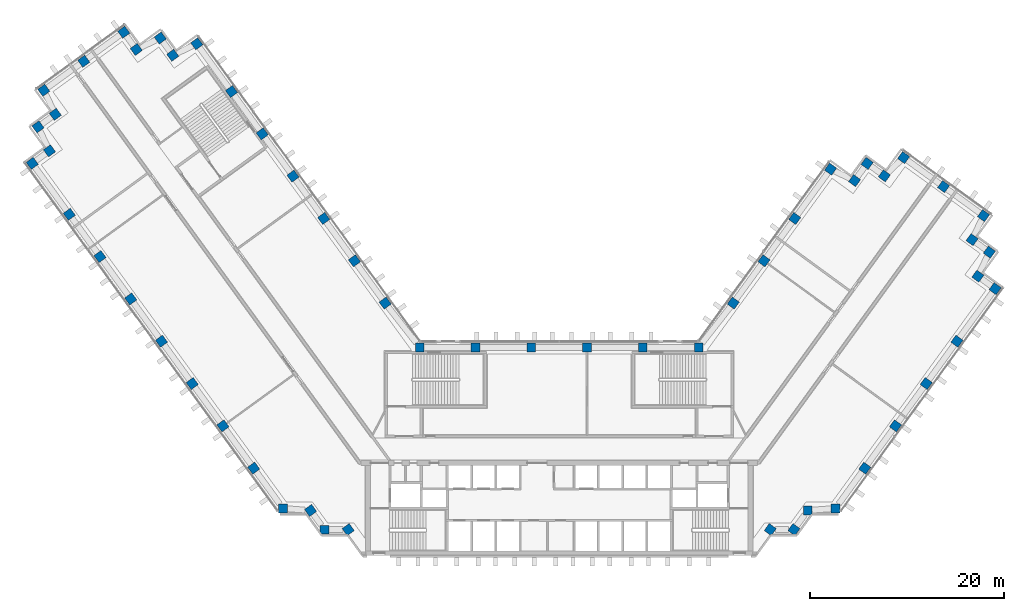
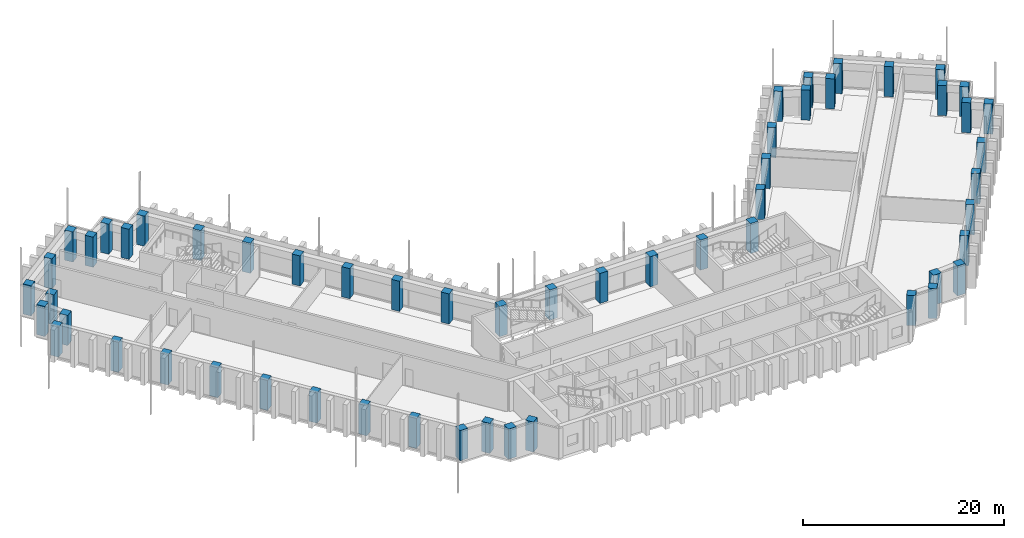
# One storey, part 1 of 16: 56 columns.
"""IFC4 building model written with IfcOpenShell, lengths in metres."""

import ifcopenshell
import ifcopenshell.guid

model = None  # the IFC model being written
_history = None  # IfcOwnerHistory: only IFC2X3 demands one
_inside = {}  # id of a spatial element -> (the spatial element, [elements in it])
_under = {}  # id of a project, library or spatial element -> (it, [spatial elements below it])
_declared = {}  # id of a project -> (the project, [libraries it declares])
_typed = {}  # id of a type object -> (the type object, [elements of that type])
_made_of = {}  # id of a material, layer set ... -> (it, [elements and type objects made of it])


def new_model(schema):
    """Start an empty IFC model of exactly this schema.

    Asked for "IFC4X3", IfcOpenShell would pick the latest addendum, in which some entities
    have other attributes; the version numbers below select the first issue.
    IFC2X3 requires an IfcOwnerHistory on every rooted entity: one is made here for all.
    """
    global model, _history
    if schema == "IFC4X3":
        model = ifcopenshell.file(schema_version=(4, 3, 0, 0))
    else:
        model = ifcopenshell.file(schema=schema)
    _inside.clear()
    _under.clear()
    _declared.clear()
    _typed.clear()
    _made_of.clear()
    _history = None
    if model.schema == "IFC2X3":
        org = make("IfcOrganization", Name="unknown")
        user = make(
            "IfcPersonAndOrganization",
            ThePerson=make("IfcPerson", FamilyName="unknown"),
            TheOrganization=org,
        )
        app = make(
            "IfcApplication",
            ApplicationDeveloper=org,
            Version="unknown",
            ApplicationFullName="unknown",
            ApplicationIdentifier="unknown",
        )
        _history = make(
            "IfcOwnerHistory",
            OwningUser=user,
            OwningApplication=app,
            ChangeAction="ADDED",
            CreationDate=0,
        )
    return model


def make(cls, **values):
    """One entity of the class cls with the attributes given. An attribute that is None is left unset."""
    return model.create_entity(
        cls, **{name: value for name, value in values.items() if value is not None}
    )


def rooted(cls, **values):
    """An entity with a GlobalId (a new one), such as an element, a storey or a relation."""
    return make(cls, GlobalId=ifcopenshell.guid.new(), OwnerHistory=_history, **values)


def si_unit(unit_type, name, prefix=None):
    """IfcSIUnit, for example si_unit("LENGTHUNIT", "METRE", prefix="MILLI")."""
    return make("IfcSIUnit", UnitType=unit_type, Prefix=prefix, Name=name)


def assignment(units):
    """IfcUnitAssignment: the units of a project."""
    return None if units is None else make("IfcUnitAssignment", Units=units)


def point(xyz):
    """IfcCartesianPoint."""
    return None if xyz is None else make("IfcCartesianPoint", Coordinates=xyz)


def direction(xyz):
    """IfcDirection."""
    return None if xyz is None else make("IfcDirection", DirectionRatios=xyz)


def frame(location, z_axis=None, x_axis=None):
    """IfcAxis2Placement3D, a coordinate frame: its origin and axes. An axis left out is left unset."""
    return make(
        "IfcAxis2Placement3D",
        Location=point(location),
        Axis=direction(z_axis),
        RefDirection=direction(x_axis),
    )


def frame_2d(location, x_axis=None):
    """IfcAxis2Placement2D, a coordinate frame in the plane: its origin and x axis."""
    return make(
        "IfcAxis2Placement2D", Location=point(location), RefDirection=direction(x_axis)
    )


def origin():
    """The frame at (0, 0, 0) with its axes left unset."""
    return frame((0.0, 0.0, 0.0))


def origin_2d():
    """The frame at (0, 0) in the plane with its x axis left unset."""
    return frame_2d((0.0, 0.0))


def place(relative_to, where):
    """IfcLocalPlacement: puts the frame where relative to a parent placement (None: the world)."""
    return make(
        "IfcLocalPlacement", PlacementRelTo=relative_to, RelativePlacement=where
    )


def context(
    kind, dimensions, precision=None, world=None, true_north=None, identifier=None
):
    """IfcGeometricRepresentationContext, for example the 3D "Model" context."""
    return make(
        "IfcGeometricRepresentationContext",
        ContextIdentifier=identifier,
        ContextType=kind,
        CoordinateSpaceDimension=dimensions,
        Precision=precision,
        WorldCoordinateSystem=world,
        TrueNorth=true_north,
    )


def subcontext(parent, identifier, kind, view, scale=None):
    """IfcGeometricRepresentationSubContext, for example "Body" below "Model"."""
    return make(
        "IfcGeometricRepresentationSubContext",
        ContextIdentifier=identifier,
        ContextType=kind,
        ParentContext=parent,
        TargetScale=scale,
        TargetView=view,
    )


def project(units=None, contexts=None):
    """IfcProject with its units and contexts."""
    return rooted(
        "IfcProject",
        Name="project",
        RepresentationContexts=contexts,
        UnitsInContext=assignment(units),
    )


def spatial(cls, under=None, at=None, **own):
    """A site, building, storey or space (cls), placed at a placement, below another one or the project."""
    s = rooted(cls, ObjectPlacement=at, **own)
    if under is not None:
        _under.setdefault(under.id(), (under, []))[1].append(s)
    return s


def profile(cls, at=None, kind="AREA", **sizes):
    """A parametric profile (cls). Its sizes go by their IFC names, for example OverallWidth=200.0."""
    return make(cls, ProfileType=kind, Position=at, **sizes)


def rectangle(**sizes):
    """IfcRectangleProfileDef."""
    return profile("IfcRectangleProfileDef", **sizes)


def extrude(swept, where, along, depth):
    """IfcExtrudedAreaSolid: the profile swept, set in the frame where, extruded along a direction by depth."""
    return make(
        "IfcExtrudedAreaSolid",
        SweptArea=swept,
        Position=where,
        ExtrudedDirection=direction(along),
        Depth=depth,
    )


def shape(context_of_items, identifier, shape_type, items):
    """IfcShapeRepresentation: the items that make up one representation, for example the "Body"."""
    return make(
        "IfcShapeRepresentation",
        ContextOfItems=context_of_items,
        RepresentationIdentifier=identifier,
        RepresentationType=shape_type,
        Items=items,
    )


def material(Name=None, Category=None):
    """IfcMaterial."""
    return make("IfcMaterial", Name=Name, Category=Category)


def material_profile(
    of_material, cross_section, Name=None, Category=None, Priority=None
):
    """IfcMaterialProfile: a cross section and its material."""
    return make(
        "IfcMaterialProfile",
        Name=Name,
        Material=of_material,
        Profile=cross_section,
        Priority=Priority,
        Category=Category,
    )


def profile_set(profiles, Name=None, composite=None):
    """IfcMaterialProfileSet."""
    return make(
        "IfcMaterialProfileSet",
        Name=Name,
        MaterialProfiles=profiles,
        CompositeProfile=composite,
    )


def made_of(thing, what):
    """Note that an element or type object is made of a material, layer set ...; save() writes the relation."""
    if what is not None:
        _made_of.setdefault(what.id(), (what, []))[1].append(thing)
    return thing


def type_object(cls, material=None, **own):
    """A type object (cls), such as IfcWallType, which elements share."""
    return made_of(rooted(cls, **own), material)


def element(
    cls,
    number,
    at=None,
    inside=None,
    cuts=None,
    type_object=None,
    material=None,
    context=None,
    identifier="Body",
    shape_type=None,
    held_by="IfcProductDefinitionShape",
    body=None,
    shapes=None,
    **own,
):
    """One element of the class cls, such as IfcWall. Its Tag is "e" and its number.

    at: its placement. inside: the storey or other place that contains it. cuts: it is an
    opening in that element (IfcRelVoidsElement). A single representation is given by context,
    identifier, shape_type and body (its items); several are given by shapes. held_by: the class
    of the entity that holds the representations. save() writes the other relations.
    """
    e = rooted(cls, Tag="e%d" % number, ObjectPlacement=at, **own)
    if body is not None:
        shapes = [shape(context, identifier, shape_type, body)]
    if shapes is not None:
        e.Representation = make(held_by, Representations=shapes)
    if inside is not None:
        _inside.setdefault(inside.id(), (inside, []))[1].append(e)
    if cuts is not None:
        rooted(
            "IfcRelVoidsElement", RelatingBuildingElement=cuts, RelatedOpeningElement=e
        )
    if type_object is not None:
        _typed.setdefault(type_object.id(), (type_object, []))[1].append(e)
    return made_of(e, material)


def aggregate(whole, parts):
    """IfcRelAggregates: a whole, such as a stair, and the parts it consists of."""
    return rooted("IfcRelAggregates", RelatingObject=whole, RelatedObjects=parts)


def save(model, path):
    """Write the relations noted so far, then the file.

    IfcRelAggregates (storeys below a building ...), IfcRelContainedInSpatialStructure (elements
    in a storey), IfcRelDefinesByType, IfcRelAssociatesMaterial and IfcRelDeclares: one each for
    every whole, place, type object, material and project.
    """
    for whole, parts in _under.values():
        aggregate(whole, parts)
    for where, things in _inside.values():
        rooted(
            "IfcRelContainedInSpatialStructure",
            RelatedElements=things,
            RelatingStructure=where,
        )
    for kind, things in _typed.values():
        rooted("IfcRelDefinesByType", RelatedObjects=things, RelatingType=kind)
    for what, things in _made_of.values():
        rooted("IfcRelAssociatesMaterial", RelatedObjects=things, RelatingMaterial=what)
    for by, libraries in _declared.values():
        rooted("IfcRelDeclares", RelatingContext=by, RelatedDefinitions=libraries)
    model.write(path)


model = new_model("IFC4")

# Units and contexts
model_context = context("Model", 3, precision=1e-05, world=origin(), true_north=direction((0.0, 1.0)))
body_context = subcontext(model_context, "Body", "Model", "MODEL_VIEW")
ifc_project = project(units=[si_unit("LENGTHUNIT", "METRE"), si_unit("AREAUNIT", "SQUARE_METRE"), si_unit("VOLUMEUNIT", "CUBIC_METRE"), si_unit("PLANEANGLEUNIT", "RADIAN"), si_unit("MASSUNIT", "GRAM", prefix="KILO")], contexts=[model_context])

# Site, building, storey
site_placement = place(None, origin())
site = spatial("IfcSite", under=ifc_project, at=site_placement, CompositionType="ELEMENT")
building_placement = place(site_placement, origin())
building = spatial("IfcBuilding", under=site, at=building_placement, Name="Quipu Civic Tower", CompositionType="ELEMENT")
storey_placement = place(building_placement, frame((0.0, 0.0, 113.0)))
storey = spatial("IfcBuildingStorey", under=building, at=storey_placement, Name="L26", CompositionType="ELEMENT", Elevation=113.0)

# Columns
ifc_material = material(Name="Concrete C60/75", Category="concrete")
ifc_material_profile = material_profile(ifc_material, rectangle(XDim=0.89990234375, YDim=0.89990234375, at=origin_2d()), Name="RC900x900")
ifc_profile_set = profile_set([ifc_material_profile], Name="Concrete C60/75")
column_type = type_object("IfcColumnType", Name="Perimeter column RC 900x900 C60/75", PredefinedType="COLUMN", material=ifc_profile_set)
for number, where, z_axis, x_axis, name in (
    (1, (-17.9736328125, 15.074951171875, 0.0), (0.0, 0.0, 1.0), (-0.587785252292, 0.809016994375, 0.0), "Column L26 W-IN-01"),
    (2, (-21.1474609375, 19.44384765625, 0.0), (0.0, 0.0, 1.0), (-0.587785252292, 0.809016994375, 0.0), "Column L26 W-IN-02"),
    (3, (-24.3212890625, 23.8125, 0.0), (0.0, 0.0, 1.0), (-0.587785252292, 0.809016994375, 0.0), "Column L26 W-IN-03"),
    (4, (-27.4951171875, 28.181396484375, 0.0), (0.0, 0.0, 1.0), (-0.587785252292, 0.809016994375, 0.0), "Column L26 W-IN-04"),
    (5, (-30.6689453125, 32.55029296875, 0.0), (0.0, 0.0, 1.0), (-0.587785252292, 0.809016994375, 0.0), "Column L26 W-IN-05"),
    (6, (-33.843017578125, 36.919189453125, 0.0), (0.0, 0.0, 1.0), (-0.587785252292, 0.809016994375, 0.0), "Column L26 W-IN-06"),
    (7, (-37.425048828125, 41.85009765625, 0.0), (0.0, 0.0, 1.0), (-0.587785252292, 0.809016994375, 0.0), "Column L26 T-Wi.0-W50"),
    (8, (-39.905517578125, 40.666015625, 0.0), (0.0, 0.0, 1.0), (-0.587785252292, 0.809016994375, 0.0), "Column L26 T-Wi.1-W50"),
    (9, (-41.199951171875, 42.445068359375, 0.0), (0.0, 0.0, 1.0), (-0.587785252292, 0.809016994375, 0.0), "Column L26 T-Wi.2-W50"),
    (10, (-43.674560546875, 41.264892578125, 0.0), (0.0, 0.0, 1.0), (-0.809016994375, -0.587785252292, 0.0), "Column L26 T-Wi.3-W50"),
    (11, (-44.969970703125, 43.044921875, 0.0), (0.0, 0.0, 1.0), (-0.809016994375, -0.587785252292, 0.0), "Column L26 T-Wi.4-W50"),
    (12, (-49.095703125, 40.046875, 0.0), (0.0, 0.0, 1.0), (-0.809016994375, -0.587785252292, 0.0), "Column L26 TIP-W-01-W50"),
    (13, (-53.219970703125, 37.050048828125, 0.0), (0.0, 0.0, 1.0), (0.587785252292, -0.809016994375, 0.0), "Column L26 T-Wo.0-W50"),
    (14, (-52.038818359375, 34.571044921875, 0.0), (0.0, 0.0, 1.0), (-0.809016994375, -0.587785252292, 0.0), "Column L26 T-Wo.1-W50"),
    (15, (-53.820068359375, 33.27490234375, 0.0), (0.0, 0.0, 1.0), (0.587785252292, -0.809016994375, 0.0), "Column L26 T-Wo.2-W50"),
    (16, (-52.635986328125, 30.799560546875, 0.0), (0.0, 0.0, 1.0), (-0.809016994375, -0.587785252292, 0.0), "Column L26 T-Wo.3-W50"),
    (17, (-54.4150390625, 29.5048828125, 0.0), (0.0, 0.0, 1.0), (0.587785252292, -0.809016994375, 0.0), "Column L26 T-Wo.4-W50"),
    (18, (-50.59228515625, 24.243408203125, 0.0), (0.0, 0.0, 1.0), (0.587785252292, -0.809016994375, 0.0), "Column L26 W-OUT-07"),
    (19, (-47.41845703125, 19.874755859375, 0.0), (0.0, 0.0, 1.0), (0.587785252292, -0.809016994375, 0.0), "Column L26 W-OUT-06"),
    (20, (-44.244384765625, 15.506103515625, 0.0), (0.0, 0.0, 1.0), (0.587785252292, -0.809016994375, 0.0), "Column L26 W-OUT-05"),
    (21, (-41.0703125, 11.137451171875, 0.0), (0.0, 0.0, 1.0), (0.587785252292, -0.809016994375, 0.0), "Column L26 W-OUT-04"),
    (22, (-37.896240234375, 6.768798828125, 0.0), (0.0, 0.0, 1.0), (0.587785252292, -0.809016994375, 0.0), "Column L26 W-OUT-03"),
    (23, (-34.722412109375, 2.39990234375, 0.0), (0.0, 0.0, 1.0), (0.587785252292, -0.809016994375, 0.0), "Column L26 W-OUT-02"),
    (24, (-31.54833984375, -1.96875, 0.0), (0.0, 0.0, 1.0), (0.587785252292, -0.809016994375, 0.0), "Column L26 W-OUT-01"),
    (25, (-28.52490234375, -6.1298828125, 0.0), (0.0, 0.0, 1.0), (1.0, 0.0, 0.0), "Column L26 J-Wo.0"),
    (26, (-25.67431640625, -6.3369140625, 0.0), (0.0, 0.0, 1.0), (0.587785252292, -0.809016994375, 0.0), "Column L26 J-Wo.1"),
    (27, (-24.235107421875, -8.31494140625, 0.0), (0.0, 0.0, 1.0), (1.0, 0.0, 0.0), "Column L26 J-Wo.2"),
    (28, (-21.791748046875, -8.31494140625, 0.0), (0.0, 0.0, 1.0), (0.587785252292, -0.809016994375, 0.0), "Column L26 J-Wo.3"),
    (29, (21.791748046875, -8.31494140625, 0.0), (0.0, 0.0, 1.0), (0.587785252292, 0.809016994375, 0.0), "Column L26 J-Eo.1"),
    (30, (24.235107421875, -8.31494140625, 0.0), (0.0, 0.0, 1.0), (0.587785252292, 0.809016994375, 0.0), "Column L26 J-Eo.2"),
    (31, (25.67431640625, -6.3369140625, 0.0), (0.0, 0.0, 1.0), (1.0, 0.0, 0.0), "Column L26 J-Eo.3"),
    (32, (28.52490234375, -6.1298828125, 0.0), (0.0, 0.0, 1.0), (1.0, 0.0, 0.0), "Column L26 J-Eo.4"),
    (33, (31.54833984375, -1.96875, 0.0), (0.0, 0.0, 1.0), (0.587785252292, 0.809016994375, 0.0), "Column L26 E-OUT-01"),
    (34, (34.722412109375, 2.39990234375, 0.0), (0.0, 0.0, 1.0), (0.587785252292, 0.809016994375, 0.0), "Column L26 E-OUT-02"),
    (35, (37.896240234375, 6.768798828125, 0.0), (0.0, 0.0, 1.0), (0.587785252292, 0.809016994375, 0.0), "Column L26 E-OUT-03"),
    (36, (41.0703125, 11.137451171875, 0.0), (0.0, 0.0, 1.0), (0.587785252292, 0.809016994375, 0.0), "Column L26 E-OUT-04"),
    (37, (45.010009765625, 16.56005859375, 0.0), (0.0, 0.0, 1.0), (0.587785252292, 0.809016994375, 0.0), "Column L26 T-Eo.0-E34"),
    (38, (43.23095703125, 17.8544921875, 0.0), (0.0, 0.0, 1.0), (0.587785252292, 0.809016994375, 0.0), "Column L26 T-Eo.1-E34"),
    (39, (44.4150390625, 20.3349609375, 0.0), (0.0, 0.0, 1.0), (0.587785252292, 0.809016994375, 0.0), "Column L26 T-Eo.2-E34"),
    (40, (42.635009765625, 21.626220703125, 0.0), (0.0, 0.0, 1.0), (-0.809016994375, 0.587785252292, 0.0), "Column L26 T-Eo.3-E34"),
    (41, (43.81494140625, 24.10498046875, 0.0), (0.0, 0.0, 1.0), (-0.809016994375, 0.587785252292, 0.0), "Column L26 T-Eo.4-E34"),
    (42, (39.690673828125, 27.10205078125, 0.0), (0.0, 0.0, 1.0), (-0.809016994375, 0.587785252292, 0.0), "Column L26 TIP-E-01-E34"),
    (43, (35.56494140625, 30.10009765625, 0.0), (0.0, 0.0, 1.0), (-0.587785252292, -0.809016994375, 0.0), "Column L26 T-Ei.0-E34"),
    (44, (33.573974609375, 28.20947265625, 0.0), (0.0, 0.0, 1.0), (-0.809016994375, 0.587785252292, 0.0), "Column L26 T-Ei.1-E34"),
    (45, (31.794921875, 29.5, 0.0), (0.0, 0.0, 1.0), (-0.587785252292, -0.809016994375, 0.0), "Column L26 T-Ei.2-E34"),
    (46, (30.498779296875, 27.72265625, 0.0), (0.0, 0.0, 1.0), (-0.809016994375, 0.587785252292, 0.0), "Column L26 T-Ei.3-E34"),
    (47, (28.02001953125, 28.905029296875, 0.0), (0.0, 0.0, 1.0), (-0.809016994375, 0.587785252292, 0.0), "Column L26 T-Ei.4-E34"),
    (48, (24.3212890625, 23.8125, 0.0), (0.0, 0.0, 1.0), (-0.587785252292, -0.809016994375, 0.0), "Column L26 E-IN-03"),
    (49, (21.1474609375, 19.44384765625, 0.0), (0.0, 0.0, 1.0), (-0.587785252292, -0.809016994375, 0.0), "Column L26 E-IN-02"),
    (50, (17.9736328125, 15.074951171875, 0.0), (0.0, 0.0, 1.0), (-0.587785252292, -0.809016994375, 0.0), "Column L26 E-IN-01"),
    (51, (14.395263671875, 10.5, 0.0), (0.0, 0.0, 1.0), (-1.0, 0.0, 0.0), "Column L26 J-Ei.0"),
    (52, (8.63720703125, 10.5, 0.0), (0.0, 0.0, 1.0), (-1.0, 0.0, 0.0), "Column L26 FRONT-01"),
    (53, (2.87890625, 10.5, 0.0), (0.0, 0.0, 1.0), (-1.0, 0.0, 0.0), "Column L26 FRONT-02"),
    (54, (-2.87890625, 10.5, 0.0), (0.0, 0.0, 1.0), (-1.0, 0.0, 0.0), "Column L26 FRONT-03"),
    (55, (-8.63720703125, 10.5, 0.0), (0.0, 0.0, 1.0), (-1.0, 0.0, 0.0), "Column L26 FRONT-04"),
    (56, (-14.395263671875, 10.5, 0.0), (0.0, 0.0, 1.0), (-1.0, 0.0, 0.0), "Column L26 J-Wi.0"),
):
    element("IfcColumn", number, at=place(storey_placement, frame(where, z_axis=z_axis, x_axis=x_axis)), inside=storey, type_object=column_type, Name=name, PredefinedType="COLUMN", context=body_context, shape_type="SweptSolid", body=[
        extrude(rectangle(XDim=0.89990234375, YDim=0.89990234375, at=origin_2d()), origin(), (0.0, 0.0, 1.0), 3.64990234375),
    ])

save(model, "model.ifc")
